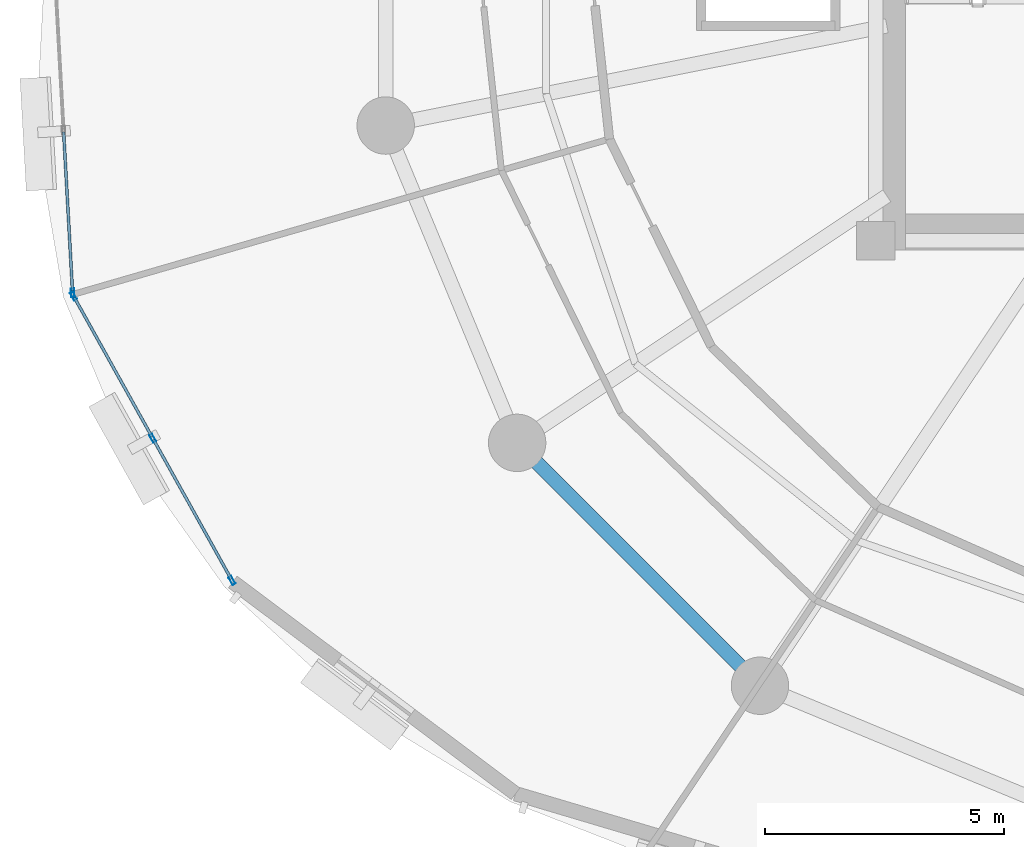
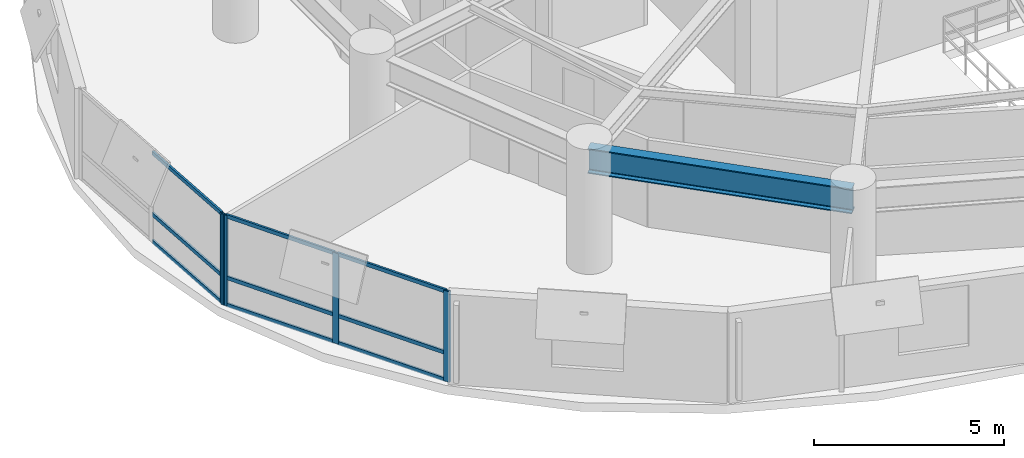
# One storey, part 2 of 15: 13 members, 1 beam, 2 elements without a shape of their own.
"""IFC4 building model written with IfcOpenShell, lengths in metres."""

from ifc_helpers import new_model, si_unit, direction, frame, origin, origin_2d, place, context, subcontext, project, spatial, hollow_rectangle, i_section, extrude, material, layer, layer_set, material_profile, profile_set, type_object, element, aggregate, save


model = new_model("IFC4")

# Units and contexts
model_context = context("Model", 3, precision=1e-05, world=origin(), true_north=direction((0.0, 1.0)))
body_context = subcontext(model_context, "Body", "Model", "MODEL_VIEW")
ifc_project = project(units=[si_unit("LENGTHUNIT", "METRE"), si_unit("AREAUNIT", "SQUARE_METRE"), si_unit("VOLUMEUNIT", "CUBIC_METRE"), si_unit("PLANEANGLEUNIT", "RADIAN"), si_unit("MASSUNIT", "GRAM", prefix="KILO"), si_unit("THERMODYNAMICTEMPERATUREUNIT", "KELVIN"), si_unit("POWERUNIT", "WATT")], contexts=[model_context])

# Site, building, storey
site_placement = place(None, origin())
site = spatial("IfcSite", under=ifc_project, at=site_placement, CompositionType="ELEMENT")
building_placement = place(site_placement, origin())
building = spatial("IfcBuilding", under=site, at=building_placement, Name="Ocrelia Relay Tower", CompositionType="ELEMENT")
storey_placement = place(building_placement, frame((0.0, 0.0, 101.800048828125)))
storey = spatial("IfcBuildingStorey", under=building, at=storey_placement, Name="L23", CompositionType="ELEMENT", Elevation=101.800048828125)

# Beam
ifc_material_1 = material(Name="Steel S355", Category="steel")
ifc_material_profile_1 = material_profile(ifc_material_1, i_section(OverallWidth=0.300048828125, OverallDepth=0.800048828125, WebThickness=0.017578125, FlangeThickness=0.032958984375, FilletRadius=0.030029296875, at=origin_2d()), Name="HEB 800")
ifc_profile_set_1 = profile_set([ifc_material_profile_1], Name="Steel S355")
beam_type = type_object("IfcBeamType", Name="BM-HEB800", PredefinedType="BEAM", material=ifc_profile_set_1)
beam_placement = place(storey_placement, frame((18.700927734375, 15.777587890625, 3.320068359375), z_axis=(0.707106781187, -0.707106781187, 0.0), x_axis=(0.707106781187, 0.707106781187, 0.0)))
element("IfcBeam", 1, at=beam_placement, inside=storey, type_object=beam_type, Name="L23 Perimeter Spandrel Beam S10", PredefinedType="BEAM", context=body_context, shape_type="SweptSolid", body=[
    extrude(i_section(OverallWidth=0.300048828125, OverallDepth=0.800048828125, WebThickness=0.017578125, FlangeThickness=0.032958984375, FilletRadius=0.030029296875, at=origin_2d()), origin(), (0.0, 0.0, 1.0), 7.179443359375),
])

# Curtain wall, member
ifc_material_2 = material(Name="Aluminium and solar-control low-E glass", Category="aluminium")
ifc_layer = layer(ifc_material_2, 0.179931640625, Name="Aluminium and solar-control low-E glass")
ifc_layer_set = layer_set([ifc_layer], Name="Aluminium and solar-control low-E glass")
curtain_wall_type = type_object("IfcCurtainWallType", Name="CW-SYS-Z2-SWIT", PredefinedType="NOTDEFINED", material=ifc_layer_set)
curtain_wall_1_placement = place(storey_placement, origin())
curtain_wall_1 = element("IfcCurtainWall", 2, at=curtain_wall_1_placement, inside=storey, type_object=curtain_wall_type, Name="L23 Elliptical Tower Curtain Wall Bay 09", PredefinedType="NOTDEFINED")
ifc_material_3 = material(Name="Anodised bronze aluminium", Category="aluminium")
ifc_material_profile_2 = material_profile(ifc_material_3, hollow_rectangle(XDim=0.070068359375, YDim=0.179931640625, WallThickness=0.006103515625, at=origin_2d()), Name="CW-MUL-180x70")
ifc_profile_set_2 = profile_set([ifc_material_profile_2], Name="Anodised bronze aluminium")
member_type_1 = type_object("IfcMemberType", Name="CW-SYS-Z2-SWIT-MUL", PredefinedType="MULLION", material=ifc_profile_set_2)
member_1_placement = place(storey_placement, frame((9.408447265625, 18.914306640625, 0.0), z_axis=(0.0, 0.0, 1.0), x_axis=(0.998459413762, 0.055486927026, 0.0)))
member_1 = element("IfcMember", 3, at=member_1_placement, type_object=member_type_1, Name="CW-Z2 mullion 3", PredefinedType="MULLION", context=body_context, shape_type="SweptSolid", body=[
    extrude(hollow_rectangle(XDim=0.070068359375, YDim=0.179931640625, WallThickness=0.006103515625, at=origin_2d()), origin(), (0.0, 0.0, 1.0), 2.89990234375),
])

# Curtain wall, members
curtain_wall_2_placement = place(storey_placement, origin())
curtain_wall_2 = element("IfcCurtainWall", 4, at=curtain_wall_2_placement, inside=storey, type_object=curtain_wall_type, Name="L23 Elliptical Tower Curtain Wall Bay 10", PredefinedType="NOTDEFINED")
member_2_placement = place(storey_placement, frame((9.42724609375, 18.8486328125, 0.0), z_axis=(0.0, 0.0, 1.0), x_axis=(0.873611590369, 0.486623868273, 0.0)))
member_2 = element("IfcMember", 5, at=member_2_placement, type_object=member_type_1, Name="CW-Z2 mullion 1", PredefinedType="MULLION", context=body_context, shape_type="SweptSolid", body=[
    extrude(hollow_rectangle(XDim=0.070068359375, YDim=0.179931640625, WallThickness=0.006103515625, at=origin_2d()), origin(), (0.0, 0.0, 1.0), 2.89990234375),
])
member_3_placement = place(storey_placement, frame((11.083984375, 15.87451171875, 0.0), z_axis=(0.0, 0.0, 1.0), x_axis=(0.873611590369, 0.486623868273, 0.0)))
member_3 = element("IfcMember", 6, at=member_3_placement, type_object=member_type_1, Name="CW-Z2 mullion 2", PredefinedType="MULLION", context=body_context, shape_type="SweptSolid", body=[
    extrude(hollow_rectangle(XDim=0.070068359375, YDim=0.179931640625, WallThickness=0.006103515625, at=origin_2d()), origin(), (0.0, 0.0, 1.0), 2.89990234375),
])
member_4_placement = place(storey_placement, frame((12.74072265625, 12.900390625, 0.0), z_axis=(0.0, 0.0, 1.0), x_axis=(0.873611590369, 0.486623868273, 0.0)))
member_4 = element("IfcMember", 7, at=member_4_placement, type_object=member_type_1, Name="CW-Z2 mullion 3", PredefinedType="MULLION", context=body_context, shape_type="SweptSolid", body=[
    extrude(hollow_rectangle(XDim=0.070068359375, YDim=0.179931640625, WallThickness=0.006103515625, at=origin_2d()), origin(), (0.0, 0.0, 1.0), 2.89990234375),
])

# Member
ifc_material_profile_3 = material_profile(ifc_material_3, hollow_rectangle(XDim=0.06005859375, YDim=0.1201171875, WallThickness=0.0048828125, at=origin_2d()), Name="CW-TRN-120x60")
ifc_profile_set_3 = profile_set([ifc_material_profile_3], Name="Anodised bronze aluminium")
member_type_2 = type_object("IfcMemberType", Name="CW-SYS-Z2-SWIT-TRN", PredefinedType="USERDEFINED", material=ifc_profile_set_3)
member_5_placement = place(storey_placement, frame((9.221435546875, 22.278564453125, 0.030029296875), z_axis=(0.055498405226, -0.998458775823, 0.0), x_axis=(0.998458775823, 0.055498405226, 0.0)))
member_5 = element("IfcMember", 8, at=member_5_placement, type_object=member_type_2, Name="CW-Z2 transom 2.1", ObjectType="TRANSOM", PredefinedType="USERDEFINED", context=body_context, shape_type="SweptSolid", body=[
    extrude(hollow_rectangle(XDim=0.06005859375, YDim=0.1201171875, WallThickness=0.0048828125, at=origin_2d()), origin(), (0.0, 0.0, 1.0), 3.33447265625),
])

member_6_placement = place(storey_placement, frame((9.221435546875, 22.278564453125, 0.89990234375), z_axis=(0.055498405226, -0.998458775823, 0.0), x_axis=(0.998458775823, 0.055498405226, 0.0)))
member_6 = element("IfcMember", 9, at=member_6_placement, type_object=member_type_2, Name="CW-Z2 transom 2.2", ObjectType="TRANSOM", PredefinedType="USERDEFINED", context=body_context, shape_type="SweptSolid", body=[
    extrude(hollow_rectangle(XDim=0.06005859375, YDim=0.1201171875, WallThickness=0.0048828125, at=origin_2d()), origin(), (0.0, 0.0, 1.0), 3.33447265625),
])

member_7_placement = place(storey_placement, frame((9.221435546875, 22.278564453125, 2.869873046875), z_axis=(0.055498405226, -0.998458775823, 0.0), x_axis=(0.998458775823, 0.055498405226, 0.0)))
member_7 = element("IfcMember", 10, at=member_7_placement, type_object=member_type_2, Name="CW-Z2 transom 2.3", ObjectType="TRANSOM", PredefinedType="USERDEFINED", context=body_context, shape_type="SweptSolid", body=[
    extrude(hollow_rectangle(XDim=0.06005859375, YDim=0.1201171875, WallThickness=0.0048828125, at=origin_2d()), origin(), (0.0, 0.0, 1.0), 3.33447265625),
])

aggregate(curtain_wall_1, [member_1, member_5, member_6, member_7])

member_8_placement = place(storey_placement, frame((9.4443359375, 18.818115234375, 0.030029296875), z_axis=(0.486655864071, -0.873593767128, 0.0), x_axis=(0.873593767128, 0.486655864071, 0.0)))
member_8 = element("IfcMember", 11, at=member_8_placement, type_object=member_type_2, Name="CW-Z2 transom 1.1", ObjectType="TRANSOM", PredefinedType="USERDEFINED", context=body_context, shape_type="SweptSolid", body=[
    extrude(hollow_rectangle(XDim=0.06005859375, YDim=0.1201171875, WallThickness=0.0048828125, at=origin_2d()), origin(), (0.0, 0.0, 1.0), 3.334716796875),
])

member_9_placement = place(storey_placement, frame((9.4443359375, 18.818115234375, 0.89990234375), z_axis=(0.486655864071, -0.873593767128, 0.0), x_axis=(0.873593767128, 0.486655864071, 0.0)))
member_9 = element("IfcMember", 12, at=member_9_placement, type_object=member_type_2, Name="CW-Z2 transom 1.2", ObjectType="TRANSOM", PredefinedType="USERDEFINED", context=body_context, shape_type="SweptSolid", body=[
    extrude(hollow_rectangle(XDim=0.06005859375, YDim=0.1201171875, WallThickness=0.0048828125, at=origin_2d()), origin(), (0.0, 0.0, 1.0), 3.334716796875),
])

member_10_placement = place(storey_placement, frame((9.4443359375, 18.818115234375, 2.869873046875), z_axis=(0.486655864071, -0.873593767128, 0.0), x_axis=(0.873593767128, 0.486655864071, 0.0)))
member_10 = element("IfcMember", 13, at=member_10_placement, type_object=member_type_2, Name="CW-Z2 transom 1.3", ObjectType="TRANSOM", PredefinedType="USERDEFINED", context=body_context, shape_type="SweptSolid", body=[
    extrude(hollow_rectangle(XDim=0.06005859375, YDim=0.1201171875, WallThickness=0.0048828125, at=origin_2d()), origin(), (0.0, 0.0, 1.0), 3.334716796875),
])

member_11_placement = place(storey_placement, frame((11.10107421875, 15.843994140625, 0.030029296875), z_axis=(0.486599986368, -0.873624892769, 0.0), x_axis=(0.873624892769, 0.486599986368, 0.0)))
member_11 = element("IfcMember", 14, at=member_11_placement, type_object=member_type_2, Name="CW-Z2 transom 2.1", ObjectType="TRANSOM", PredefinedType="USERDEFINED", context=body_context, shape_type="SweptSolid", body=[
    extrude(hollow_rectangle(XDim=0.06005859375, YDim=0.1201171875, WallThickness=0.0048828125, at=origin_2d()), origin(), (0.0, 0.0, 1.0), 3.33447265625),
])

member_12_placement = place(storey_placement, frame((11.10107421875, 15.843994140625, 0.89990234375), z_axis=(0.486599986368, -0.873624892769, 0.0), x_axis=(0.873624892769, 0.486599986368, 0.0)))
member_12 = element("IfcMember", 15, at=member_12_placement, type_object=member_type_2, Name="CW-Z2 transom 2.2", ObjectType="TRANSOM", PredefinedType="USERDEFINED", context=body_context, shape_type="SweptSolid", body=[
    extrude(hollow_rectangle(XDim=0.06005859375, YDim=0.1201171875, WallThickness=0.0048828125, at=origin_2d()), origin(), (0.0, 0.0, 1.0), 3.33447265625),
])

member_13_placement = place(storey_placement, frame((11.10107421875, 15.843994140625, 2.869873046875), z_axis=(0.486599986368, -0.873624892769, 0.0), x_axis=(0.873624892769, 0.486599986368, 0.0)))
member_13 = element("IfcMember", 16, at=member_13_placement, type_object=member_type_2, Name="CW-Z2 transom 2.3", ObjectType="TRANSOM", PredefinedType="USERDEFINED", context=body_context, shape_type="SweptSolid", body=[
    extrude(hollow_rectangle(XDim=0.06005859375, YDim=0.1201171875, WallThickness=0.0048828125, at=origin_2d()), origin(), (0.0, 0.0, 1.0), 3.33447265625),
])

aggregate(curtain_wall_2, [member_2, member_3, member_4, member_8, member_9, member_10, member_11, member_12, member_13])

save(model, "model.ifc")
